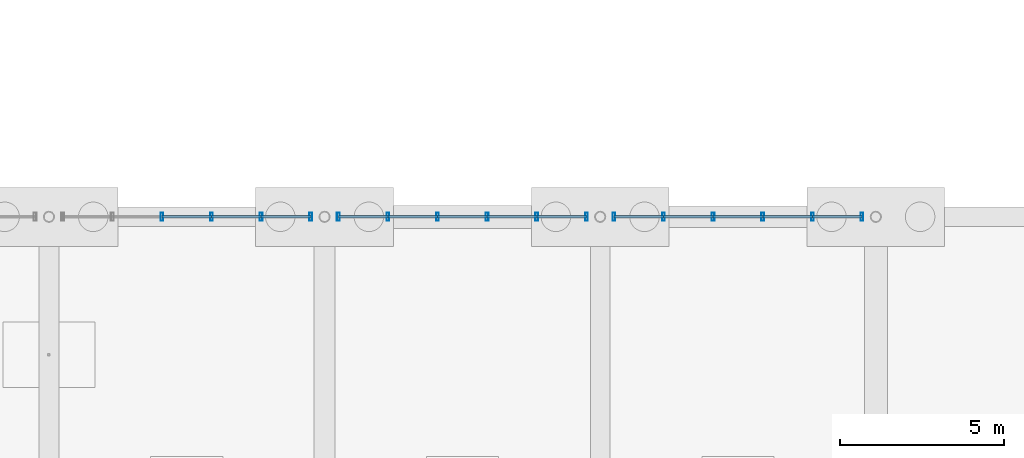
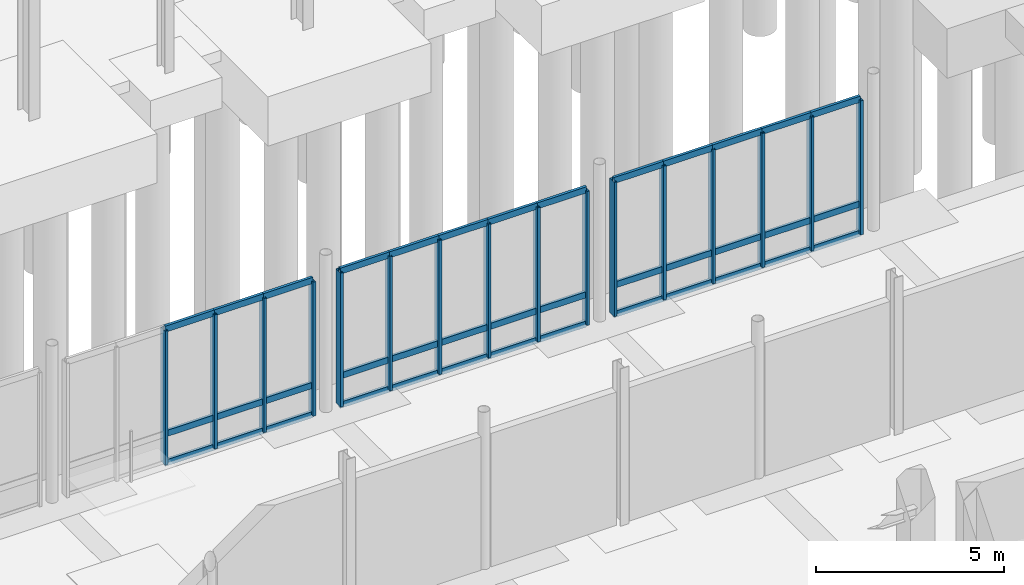
# One storey, part 46 of 119: 55 members, 3 elements without a shape of their own.
"""IFC4 building model written with IfcOpenShell, lengths in metres."""

from ifc_helpers import new_model, si_unit, derived_unit, direction, frame, origin, origin_2d, place, context, subcontext, project, spatial, hollow_rectangle, extrude, material, layer, layer_set, material_profile, profile_set, type_object, element, aggregate, save


model = new_model("IFC4")

# Units and contexts
model_context = context("Model", 3, precision=1e-05, world=origin(), true_north=direction((0.0, 1.0)))
body_context = subcontext(model_context, "Body", "Model", "MODEL_VIEW")
ifc_project = project(units=[si_unit("LENGTHUNIT", "METRE"), si_unit("AREAUNIT", "SQUARE_METRE"), si_unit("VOLUMEUNIT", "CUBIC_METRE"), si_unit("PLANEANGLEUNIT", "RADIAN"), si_unit("MASSUNIT", "GRAM", prefix="KILO"), derived_unit("THERMALTRANSMITTANCEUNIT", [(si_unit("MASSUNIT", "GRAM", prefix="KILO"), 1), (si_unit("TIMEUNIT", "SECOND"), -3), (si_unit("THERMODYNAMICTEMPERATUREUNIT", "KELVIN"), -1)])], contexts=[model_context])

# Site, building, storey
site_placement = place(None, origin())
site = spatial("IfcSite", under=ifc_project, at=site_placement, CompositionType="ELEMENT")
building_placement = place(site_placement, origin())
building = spatial("IfcBuilding", under=site, at=building_placement, Name="Makaiwela Harbour Ferry Terminal", CompositionType="ELEMENT")
storey_placement = place(building_placement, origin())
storey = spatial("IfcBuildingStorey", under=building, at=storey_placement, Name="L00", CompositionType="ELEMENT", Elevation=0.0)

# Curtain wall, members
ifc_material = material(Name="Marine anodised aluminium 6063-T6", Category="aluminium")
ifc_layer = layer(ifc_material, 0.199951171875)
ifc_layer_set = layer_set([ifc_layer], Name="Marine anodised aluminium 6063-T6")
curtain_wall_type = type_object("IfcCurtainWallType", Name="ENV-CW-10", PredefinedType="USERDEFINED", material=ifc_layer_set)
curtain_wall_1_placement = place(storey_placement, origin())
curtain_wall_1 = element("IfcCurtainWall", 1, at=curtain_wall_1_placement, inside=storey, type_object=curtain_wall_type, Name="Unitised Curtain Wall CWA-146", ObjectType="UNITIZED CURTAIN WALL", PredefinedType="USERDEFINED")
ifc_material_profile_1 = material_profile(ifc_material, hollow_rectangle(XDim=0.0849609375, YDim=0.25, WallThickness=0.0048828125, at=origin_2d()), Name="CWM-250X85")
ifc_profile_set_1 = profile_set([ifc_material_profile_1], Name="Marine anodised aluminium 6063-T6")
member_type_1 = type_object("IfcMemberType", Name="CW-MUL-250", PredefinedType="MULLION", material=ifc_profile_set_1)
member_1_placement = place(storey_placement, frame((112.97998046875, 33.60009765625, 0.0), z_axis=(0.0, 0.0, 1.0), x_axis=(1.0, 0.0, 0.0)))
member_1 = element("IfcMember", 2, at=member_1_placement, type_object=member_type_1, Name="Curtain Wall Mullion CWA-146-1", PredefinedType="MULLION", context=body_context, shape_type="SweptSolid", body=[
    extrude(hollow_rectangle(XDim=0.0849609375, YDim=0.25, WallThickness=0.0048828125, at=origin_2d()), origin(), (0.0, 0.0, 1.0), 4.35009765625),
])
member_2_placement = place(storey_placement, frame((111.468017578125, 33.60009765625, 0.0), z_axis=(0.0, 0.0, 1.0), x_axis=(1.0, 0.0, 0.0)))
member_2 = element("IfcMember", 3, at=member_2_placement, type_object=member_type_1, Name="Curtain Wall Mullion CWA-146-2", PredefinedType="MULLION", context=body_context, shape_type="SweptSolid", body=[
    extrude(hollow_rectangle(XDim=0.0849609375, YDim=0.25, WallThickness=0.0048828125, at=origin_2d()), origin(), (0.0, 0.0, 1.0), 4.35009765625),
])
member_3_placement = place(storey_placement, frame((109.9560546875, 33.60009765625, 0.0), z_axis=(0.0, 0.0, 1.0), x_axis=(1.0, 0.0, 0.0)))
member_3 = element("IfcMember", 4, at=member_3_placement, type_object=member_type_1, Name="Curtain Wall Mullion CWA-146-3", PredefinedType="MULLION", context=body_context, shape_type="SweptSolid", body=[
    extrude(hollow_rectangle(XDim=0.0849609375, YDim=0.25, WallThickness=0.0048828125, at=origin_2d()), origin(), (0.0, 0.0, 1.0), 4.35009765625),
])
member_4_placement = place(storey_placement, frame((108.444091796875, 33.60009765625, 0.0), z_axis=(0.0, 0.0, 1.0), x_axis=(1.0, 0.0, 0.0)))
member_4 = element("IfcMember", 5, at=member_4_placement, type_object=member_type_1, Name="Curtain Wall Mullion CWA-146-4", PredefinedType="MULLION", context=body_context, shape_type="SweptSolid", body=[
    extrude(hollow_rectangle(XDim=0.0849609375, YDim=0.25, WallThickness=0.0048828125, at=origin_2d()), origin(), (0.0, 0.0, 1.0), 4.35009765625),
])

curtain_wall_2_placement = place(storey_placement, origin())
curtain_wall_2 = element("IfcCurtainWall", 6, at=curtain_wall_2_placement, inside=storey, type_object=curtain_wall_type, Name="Unitised Curtain Wall CWA-148", ObjectType="UNITIZED CURTAIN WALL", PredefinedType="USERDEFINED")
member_5_placement = place(storey_placement, frame((121.3798828125, 33.60009765625, 0.0), z_axis=(0.0, 0.0, 1.0), x_axis=(1.0, 0.0, 0.0)))
member_5 = element("IfcMember", 7, at=member_5_placement, type_object=member_type_1, Name="Curtain Wall Mullion CWA-148-1", PredefinedType="MULLION", context=body_context, shape_type="SweptSolid", body=[
    extrude(hollow_rectangle(XDim=0.0849609375, YDim=0.25, WallThickness=0.0048828125, at=origin_2d()), origin(), (0.0, 0.0, 1.0), 4.35009765625),
])
member_6_placement = place(storey_placement, frame((119.867919921875, 33.60009765625, 0.0), z_axis=(0.0, 0.0, 1.0), x_axis=(1.0, 0.0, 0.0)))
member_6 = element("IfcMember", 8, at=member_6_placement, type_object=member_type_1, Name="Curtain Wall Mullion CWA-148-2", PredefinedType="MULLION", context=body_context, shape_type="SweptSolid", body=[
    extrude(hollow_rectangle(XDim=0.0849609375, YDim=0.25, WallThickness=0.0048828125, at=origin_2d()), origin(), (0.0, 0.0, 1.0), 4.35009765625),
])
member_7_placement = place(storey_placement, frame((118.35595703125, 33.60009765625, 0.0), z_axis=(0.0, 0.0, 1.0), x_axis=(1.0, 0.0, 0.0)))
member_7 = element("IfcMember", 9, at=member_7_placement, type_object=member_type_1, Name="Curtain Wall Mullion CWA-148-3", PredefinedType="MULLION", context=body_context, shape_type="SweptSolid", body=[
    extrude(hollow_rectangle(XDim=0.0849609375, YDim=0.25, WallThickness=0.0048828125, at=origin_2d()), origin(), (0.0, 0.0, 1.0), 4.35009765625),
])
member_8_placement = place(storey_placement, frame((116.843994140625, 33.60009765625, 0.0), z_axis=(0.0, 0.0, 1.0), x_axis=(1.0, 0.0, 0.0)))
member_8 = element("IfcMember", 10, at=member_8_placement, type_object=member_type_1, Name="Curtain Wall Mullion CWA-148-4", PredefinedType="MULLION", context=body_context, shape_type="SweptSolid", body=[
    extrude(hollow_rectangle(XDim=0.0849609375, YDim=0.25, WallThickness=0.0048828125, at=origin_2d()), origin(), (0.0, 0.0, 1.0), 4.35009765625),
])
member_9_placement = place(storey_placement, frame((115.33203125, 33.60009765625, 0.0), z_axis=(0.0, 0.0, 1.0), x_axis=(1.0, 0.0, 0.0)))
member_9 = element("IfcMember", 11, at=member_9_placement, type_object=member_type_1, Name="Curtain Wall Mullion CWA-148-5", PredefinedType="MULLION", context=body_context, shape_type="SweptSolid", body=[
    extrude(hollow_rectangle(XDim=0.0849609375, YDim=0.25, WallThickness=0.0048828125, at=origin_2d()), origin(), (0.0, 0.0, 1.0), 4.35009765625),
])
member_10_placement = place(storey_placement, frame((113.820068359375, 33.60009765625, 0.0), z_axis=(0.0, 0.0, 1.0), x_axis=(1.0, 0.0, 0.0)))
member_10 = element("IfcMember", 12, at=member_10_placement, type_object=member_type_1, Name="Curtain Wall Mullion CWA-148-6", PredefinedType="MULLION", context=body_context, shape_type="SweptSolid", body=[
    extrude(hollow_rectangle(XDim=0.0849609375, YDim=0.25, WallThickness=0.0048828125, at=origin_2d()), origin(), (0.0, 0.0, 1.0), 4.35009765625),
])

curtain_wall_3_placement = place(storey_placement, origin())
curtain_wall_3 = element("IfcCurtainWall", 13, at=curtain_wall_3_placement, inside=storey, type_object=curtain_wall_type, Name="Unitised Curtain Wall CWA-150", ObjectType="UNITIZED CURTAIN WALL", PredefinedType="USERDEFINED")
member_11_placement = place(storey_placement, frame((129.780029296875, 33.60009765625, 0.0), z_axis=(0.0, 0.0, 1.0), x_axis=(1.0, 0.0, 0.0)))
member_11 = element("IfcMember", 14, at=member_11_placement, type_object=member_type_1, Name="Curtain Wall Mullion CWA-150-1", PredefinedType="MULLION", context=body_context, shape_type="SweptSolid", body=[
    extrude(hollow_rectangle(XDim=0.0849609375, YDim=0.25, WallThickness=0.0048828125, at=origin_2d()), origin(), (0.0, 0.0, 1.0), 4.35009765625),
])
member_12_placement = place(storey_placement, frame((128.26806640625, 33.60009765625, 0.0), z_axis=(0.0, 0.0, 1.0), x_axis=(1.0, 0.0, 0.0)))
member_12 = element("IfcMember", 15, at=member_12_placement, type_object=member_type_1, Name="Curtain Wall Mullion CWA-150-2", PredefinedType="MULLION", context=body_context, shape_type="SweptSolid", body=[
    extrude(hollow_rectangle(XDim=0.0849609375, YDim=0.25, WallThickness=0.0048828125, at=origin_2d()), origin(), (0.0, 0.0, 1.0), 4.35009765625),
])
member_13_placement = place(storey_placement, frame((126.756103515625, 33.60009765625, 0.0), z_axis=(0.0, 0.0, 1.0), x_axis=(1.0, 0.0, 0.0)))
member_13 = element("IfcMember", 16, at=member_13_placement, type_object=member_type_1, Name="Curtain Wall Mullion CWA-150-3", PredefinedType="MULLION", context=body_context, shape_type="SweptSolid", body=[
    extrude(hollow_rectangle(XDim=0.0849609375, YDim=0.25, WallThickness=0.0048828125, at=origin_2d()), origin(), (0.0, 0.0, 1.0), 4.35009765625),
])
member_14_placement = place(storey_placement, frame((125.243896484375, 33.60009765625, 0.0), z_axis=(0.0, 0.0, 1.0), x_axis=(1.0, 0.0, 0.0)))
member_14 = element("IfcMember", 17, at=member_14_placement, type_object=member_type_1, Name="Curtain Wall Mullion CWA-150-4", PredefinedType="MULLION", context=body_context, shape_type="SweptSolid", body=[
    extrude(hollow_rectangle(XDim=0.0849609375, YDim=0.25, WallThickness=0.0048828125, at=origin_2d()), origin(), (0.0, 0.0, 1.0), 4.35009765625),
])
member_15_placement = place(storey_placement, frame((123.73193359375, 33.60009765625, 0.0), z_axis=(0.0, 0.0, 1.0), x_axis=(1.0, 0.0, 0.0)))
member_15 = element("IfcMember", 18, at=member_15_placement, type_object=member_type_1, Name="Curtain Wall Mullion CWA-150-5", PredefinedType="MULLION", context=body_context, shape_type="SweptSolid", body=[
    extrude(hollow_rectangle(XDim=0.0849609375, YDim=0.25, WallThickness=0.0048828125, at=origin_2d()), origin(), (0.0, 0.0, 1.0), 4.35009765625),
])
member_16_placement = place(storey_placement, frame((122.219970703125, 33.60009765625, 0.0), z_axis=(0.0, 0.0, 1.0), x_axis=(1.0, 0.0, 0.0)))
member_16 = element("IfcMember", 19, at=member_16_placement, type_object=member_type_1, Name="Curtain Wall Mullion CWA-150-6", PredefinedType="MULLION", context=body_context, shape_type="SweptSolid", body=[
    extrude(hollow_rectangle(XDim=0.0849609375, YDim=0.25, WallThickness=0.0048828125, at=origin_2d()), origin(), (0.0, 0.0, 1.0), 4.35009765625),
])

# Member
ifc_material_profile_2 = material_profile(ifc_material, hollow_rectangle(XDim=0.0849609375, YDim=0.199951171875, WallThickness=0.0048828125, at=origin_2d()), Name="CWT-200X85")
ifc_profile_set_2 = profile_set([ifc_material_profile_2], Name="Marine anodised aluminium 6063-T6")
member_type_2 = type_object("IfcMemberType", Name="CW-TRN-200", PredefinedType="USERDEFINED", material=ifc_profile_set_2)
member_17_placement = place(storey_placement, frame((112.97998046875, 33.60009765625, 0.0), z_axis=(-1.0, 0.0, 0.0), x_axis=(0.0, -1.0, 0.0)))
member_17 = element("IfcMember", 20, at=member_17_placement, type_object=member_type_2, Name="Curtain Wall Transom CWA-146-1-1", ObjectType="TRANSOM", PredefinedType="USERDEFINED", context=body_context, shape_type="SweptSolid", body=[
    extrude(hollow_rectangle(XDim=0.0849609375, YDim=0.199951171875, WallThickness=0.0048828125, at=origin_2d()), origin(), (0.0, 0.0, 1.0), 1.511962890625),
])

member_18_placement = place(storey_placement, frame((112.97998046875, 33.60009765625, 0.949951171875), z_axis=(-1.0, 0.0, 0.0), x_axis=(0.0, -1.0, 0.0)))
member_18 = element("IfcMember", 21, at=member_18_placement, type_object=member_type_2, Name="Curtain Wall Transom CWA-146-1-2", ObjectType="TRANSOM", PredefinedType="USERDEFINED", context=body_context, shape_type="SweptSolid", body=[
    extrude(hollow_rectangle(XDim=0.0849609375, YDim=0.199951171875, WallThickness=0.0048828125, at=origin_2d()), origin(), (0.0, 0.0, 1.0), 1.511962890625),
])

member_19_placement = place(storey_placement, frame((112.97998046875, 33.60009765625, 4.35009765625), z_axis=(-1.0, 0.0, 0.0), x_axis=(0.0, -1.0, 0.0)))
member_19 = element("IfcMember", 22, at=member_19_placement, type_object=member_type_2, Name="Curtain Wall Transom CWA-146-1-3", ObjectType="TRANSOM", PredefinedType="USERDEFINED", context=body_context, shape_type="SweptSolid", body=[
    extrude(hollow_rectangle(XDim=0.0849609375, YDim=0.199951171875, WallThickness=0.0048828125, at=origin_2d()), origin(), (0.0, 0.0, 1.0), 1.511962890625),
])

member_20_placement = place(storey_placement, frame((111.468017578125, 33.60009765625, 0.0), z_axis=(-1.0, 0.0, 0.0), x_axis=(0.0, -1.0, 0.0)))
member_20 = element("IfcMember", 23, at=member_20_placement, type_object=member_type_2, Name="Curtain Wall Transom CWA-146-2-1", ObjectType="TRANSOM", PredefinedType="USERDEFINED", context=body_context, shape_type="SweptSolid", body=[
    extrude(hollow_rectangle(XDim=0.0849609375, YDim=0.199951171875, WallThickness=0.0048828125, at=origin_2d()), origin(), (0.0, 0.0, 1.0), 1.511962890625),
])

member_21_placement = place(storey_placement, frame((111.468017578125, 33.60009765625, 0.949951171875), z_axis=(-1.0, 0.0, 0.0), x_axis=(0.0, -1.0, 0.0)))
member_21 = element("IfcMember", 24, at=member_21_placement, type_object=member_type_2, Name="Curtain Wall Transom CWA-146-2-2", ObjectType="TRANSOM", PredefinedType="USERDEFINED", context=body_context, shape_type="SweptSolid", body=[
    extrude(hollow_rectangle(XDim=0.0849609375, YDim=0.199951171875, WallThickness=0.0048828125, at=origin_2d()), origin(), (0.0, 0.0, 1.0), 1.511962890625),
])

member_22_placement = place(storey_placement, frame((111.468017578125, 33.60009765625, 4.35009765625), z_axis=(-1.0, 0.0, 0.0), x_axis=(0.0, -1.0, 0.0)))
member_22 = element("IfcMember", 25, at=member_22_placement, type_object=member_type_2, Name="Curtain Wall Transom CWA-146-2-3", ObjectType="TRANSOM", PredefinedType="USERDEFINED", context=body_context, shape_type="SweptSolid", body=[
    extrude(hollow_rectangle(XDim=0.0849609375, YDim=0.199951171875, WallThickness=0.0048828125, at=origin_2d()), origin(), (0.0, 0.0, 1.0), 1.511962890625),
])

member_23_placement = place(storey_placement, frame((109.9560546875, 33.60009765625, 0.0), z_axis=(-1.0, 0.0, 0.0), x_axis=(0.0, -1.0, 0.0)))
member_23 = element("IfcMember", 26, at=member_23_placement, type_object=member_type_2, Name="Curtain Wall Transom CWA-146-3-1", ObjectType="TRANSOM", PredefinedType="USERDEFINED", context=body_context, shape_type="SweptSolid", body=[
    extrude(hollow_rectangle(XDim=0.0849609375, YDim=0.199951171875, WallThickness=0.0048828125, at=origin_2d()), origin(), (0.0, 0.0, 1.0), 1.511962890625),
])

member_24_placement = place(storey_placement, frame((109.9560546875, 33.60009765625, 0.949951171875), z_axis=(-1.0, 0.0, 0.0), x_axis=(0.0, -1.0, 0.0)))
member_24 = element("IfcMember", 27, at=member_24_placement, type_object=member_type_2, Name="Curtain Wall Transom CWA-146-3-2", ObjectType="TRANSOM", PredefinedType="USERDEFINED", context=body_context, shape_type="SweptSolid", body=[
    extrude(hollow_rectangle(XDim=0.0849609375, YDim=0.199951171875, WallThickness=0.0048828125, at=origin_2d()), origin(), (0.0, 0.0, 1.0), 1.511962890625),
])

member_25_placement = place(storey_placement, frame((109.9560546875, 33.60009765625, 4.35009765625), z_axis=(-1.0, 0.0, 0.0), x_axis=(0.0, -1.0, 0.0)))
member_25 = element("IfcMember", 28, at=member_25_placement, type_object=member_type_2, Name="Curtain Wall Transom CWA-146-3-3", ObjectType="TRANSOM", PredefinedType="USERDEFINED", context=body_context, shape_type="SweptSolid", body=[
    extrude(hollow_rectangle(XDim=0.0849609375, YDim=0.199951171875, WallThickness=0.0048828125, at=origin_2d()), origin(), (0.0, 0.0, 1.0), 1.511962890625),
])

aggregate(curtain_wall_1, [member_1, member_2, member_3, member_4, member_17, member_18, member_19, member_20, member_21, member_22, member_23, member_24, member_25])

member_26_placement = place(storey_placement, frame((121.3798828125, 33.60009765625, 0.0), z_axis=(-1.0, 0.0, 0.0), x_axis=(0.0, -1.0, 0.0)))
member_26 = element("IfcMember", 29, at=member_26_placement, type_object=member_type_2, Name="Curtain Wall Transom CWA-148-1-1", ObjectType="TRANSOM", PredefinedType="USERDEFINED", context=body_context, shape_type="SweptSolid", body=[
    extrude(hollow_rectangle(XDim=0.0849609375, YDim=0.199951171875, WallThickness=0.0048828125, at=origin_2d()), origin(), (0.0, 0.0, 1.0), 1.511962890625),
])

member_27_placement = place(storey_placement, frame((121.3798828125, 33.60009765625, 0.949951171875), z_axis=(-1.0, 0.0, 0.0), x_axis=(0.0, -1.0, 0.0)))
member_27 = element("IfcMember", 30, at=member_27_placement, type_object=member_type_2, Name="Curtain Wall Transom CWA-148-1-2", ObjectType="TRANSOM", PredefinedType="USERDEFINED", context=body_context, shape_type="SweptSolid", body=[
    extrude(hollow_rectangle(XDim=0.0849609375, YDim=0.199951171875, WallThickness=0.0048828125, at=origin_2d()), origin(), (0.0, 0.0, 1.0), 1.511962890625),
])

member_28_placement = place(storey_placement, frame((121.3798828125, 33.60009765625, 4.35009765625), z_axis=(-1.0, 0.0, 0.0), x_axis=(0.0, -1.0, 0.0)))
member_28 = element("IfcMember", 31, at=member_28_placement, type_object=member_type_2, Name="Curtain Wall Transom CWA-148-1-3", ObjectType="TRANSOM", PredefinedType="USERDEFINED", context=body_context, shape_type="SweptSolid", body=[
    extrude(hollow_rectangle(XDim=0.0849609375, YDim=0.199951171875, WallThickness=0.0048828125, at=origin_2d()), origin(), (0.0, 0.0, 1.0), 1.511962890625),
])

member_29_placement = place(storey_placement, frame((119.867919921875, 33.60009765625, 0.0), z_axis=(-1.0, 0.0, 0.0), x_axis=(0.0, -1.0, 0.0)))
member_29 = element("IfcMember", 32, at=member_29_placement, type_object=member_type_2, Name="Curtain Wall Transom CWA-148-2-1", ObjectType="TRANSOM", PredefinedType="USERDEFINED", context=body_context, shape_type="SweptSolid", body=[
    extrude(hollow_rectangle(XDim=0.0849609375, YDim=0.199951171875, WallThickness=0.0048828125, at=origin_2d()), origin(), (0.0, 0.0, 1.0), 1.511962890625),
])

member_30_placement = place(storey_placement, frame((119.867919921875, 33.60009765625, 0.949951171875), z_axis=(-1.0, 0.0, 0.0), x_axis=(0.0, -1.0, 0.0)))
member_30 = element("IfcMember", 33, at=member_30_placement, type_object=member_type_2, Name="Curtain Wall Transom CWA-148-2-2", ObjectType="TRANSOM", PredefinedType="USERDEFINED", context=body_context, shape_type="SweptSolid", body=[
    extrude(hollow_rectangle(XDim=0.0849609375, YDim=0.199951171875, WallThickness=0.0048828125, at=origin_2d()), origin(), (0.0, 0.0, 1.0), 1.511962890625),
])

member_31_placement = place(storey_placement, frame((119.867919921875, 33.60009765625, 4.35009765625), z_axis=(-1.0, 0.0, 0.0), x_axis=(0.0, -1.0, 0.0)))
member_31 = element("IfcMember", 34, at=member_31_placement, type_object=member_type_2, Name="Curtain Wall Transom CWA-148-2-3", ObjectType="TRANSOM", PredefinedType="USERDEFINED", context=body_context, shape_type="SweptSolid", body=[
    extrude(hollow_rectangle(XDim=0.0849609375, YDim=0.199951171875, WallThickness=0.0048828125, at=origin_2d()), origin(), (0.0, 0.0, 1.0), 1.511962890625),
])

member_32_placement = place(storey_placement, frame((118.35595703125, 33.60009765625, 0.0), z_axis=(-1.0, 0.0, 0.0), x_axis=(0.0, -1.0, 0.0)))
member_32 = element("IfcMember", 35, at=member_32_placement, type_object=member_type_2, Name="Curtain Wall Transom CWA-148-3-1", ObjectType="TRANSOM", PredefinedType="USERDEFINED", context=body_context, shape_type="SweptSolid", body=[
    extrude(hollow_rectangle(XDim=0.0849609375, YDim=0.199951171875, WallThickness=0.0048828125, at=origin_2d()), origin(), (0.0, 0.0, 1.0), 1.511962890625),
])

member_33_placement = place(storey_placement, frame((118.35595703125, 33.60009765625, 0.949951171875), z_axis=(-1.0, 0.0, 0.0), x_axis=(0.0, -1.0, 0.0)))
member_33 = element("IfcMember", 36, at=member_33_placement, type_object=member_type_2, Name="Curtain Wall Transom CWA-148-3-2", ObjectType="TRANSOM", PredefinedType="USERDEFINED", context=body_context, shape_type="SweptSolid", body=[
    extrude(hollow_rectangle(XDim=0.0849609375, YDim=0.199951171875, WallThickness=0.0048828125, at=origin_2d()), origin(), (0.0, 0.0, 1.0), 1.511962890625),
])

member_34_placement = place(storey_placement, frame((118.35595703125, 33.60009765625, 4.35009765625), z_axis=(-1.0, 0.0, 0.0), x_axis=(0.0, -1.0, 0.0)))
member_34 = element("IfcMember", 37, at=member_34_placement, type_object=member_type_2, Name="Curtain Wall Transom CWA-148-3-3", ObjectType="TRANSOM", PredefinedType="USERDEFINED", context=body_context, shape_type="SweptSolid", body=[
    extrude(hollow_rectangle(XDim=0.0849609375, YDim=0.199951171875, WallThickness=0.0048828125, at=origin_2d()), origin(), (0.0, 0.0, 1.0), 1.511962890625),
])

member_35_placement = place(storey_placement, frame((116.843994140625, 33.60009765625, 0.0), z_axis=(-1.0, 0.0, 0.0), x_axis=(0.0, -1.0, 0.0)))
member_35 = element("IfcMember", 38, at=member_35_placement, type_object=member_type_2, Name="Curtain Wall Transom CWA-148-4-1", ObjectType="TRANSOM", PredefinedType="USERDEFINED", context=body_context, shape_type="SweptSolid", body=[
    extrude(hollow_rectangle(XDim=0.0849609375, YDim=0.199951171875, WallThickness=0.0048828125, at=origin_2d()), origin(), (0.0, 0.0, 1.0), 1.511962890625),
])

member_36_placement = place(storey_placement, frame((116.843994140625, 33.60009765625, 0.949951171875), z_axis=(-1.0, 0.0, 0.0), x_axis=(0.0, -1.0, 0.0)))
member_36 = element("IfcMember", 39, at=member_36_placement, type_object=member_type_2, Name="Curtain Wall Transom CWA-148-4-2", ObjectType="TRANSOM", PredefinedType="USERDEFINED", context=body_context, shape_type="SweptSolid", body=[
    extrude(hollow_rectangle(XDim=0.0849609375, YDim=0.199951171875, WallThickness=0.0048828125, at=origin_2d()), origin(), (0.0, 0.0, 1.0), 1.511962890625),
])

member_37_placement = place(storey_placement, frame((116.843994140625, 33.60009765625, 4.35009765625), z_axis=(-1.0, 0.0, 0.0), x_axis=(0.0, -1.0, 0.0)))
member_37 = element("IfcMember", 40, at=member_37_placement, type_object=member_type_2, Name="Curtain Wall Transom CWA-148-4-3", ObjectType="TRANSOM", PredefinedType="USERDEFINED", context=body_context, shape_type="SweptSolid", body=[
    extrude(hollow_rectangle(XDim=0.0849609375, YDim=0.199951171875, WallThickness=0.0048828125, at=origin_2d()), origin(), (0.0, 0.0, 1.0), 1.511962890625),
])

member_38_placement = place(storey_placement, frame((115.33203125, 33.60009765625, 0.0), z_axis=(-1.0, 0.0, 0.0), x_axis=(0.0, -1.0, 0.0)))
member_38 = element("IfcMember", 41, at=member_38_placement, type_object=member_type_2, Name="Curtain Wall Transom CWA-148-5-1", ObjectType="TRANSOM", PredefinedType="USERDEFINED", context=body_context, shape_type="SweptSolid", body=[
    extrude(hollow_rectangle(XDim=0.0849609375, YDim=0.199951171875, WallThickness=0.0048828125, at=origin_2d()), origin(), (0.0, 0.0, 1.0), 1.511962890625),
])

member_39_placement = place(storey_placement, frame((115.33203125, 33.60009765625, 0.949951171875), z_axis=(-1.0, 0.0, 0.0), x_axis=(0.0, -1.0, 0.0)))
member_39 = element("IfcMember", 42, at=member_39_placement, type_object=member_type_2, Name="Curtain Wall Transom CWA-148-5-2", ObjectType="TRANSOM", PredefinedType="USERDEFINED", context=body_context, shape_type="SweptSolid", body=[
    extrude(hollow_rectangle(XDim=0.0849609375, YDim=0.199951171875, WallThickness=0.0048828125, at=origin_2d()), origin(), (0.0, 0.0, 1.0), 1.511962890625),
])

member_40_placement = place(storey_placement, frame((115.33203125, 33.60009765625, 4.35009765625), z_axis=(-1.0, 0.0, 0.0), x_axis=(0.0, -1.0, 0.0)))
member_40 = element("IfcMember", 43, at=member_40_placement, type_object=member_type_2, Name="Curtain Wall Transom CWA-148-5-3", ObjectType="TRANSOM", PredefinedType="USERDEFINED", context=body_context, shape_type="SweptSolid", body=[
    extrude(hollow_rectangle(XDim=0.0849609375, YDim=0.199951171875, WallThickness=0.0048828125, at=origin_2d()), origin(), (0.0, 0.0, 1.0), 1.511962890625),
])

aggregate(curtain_wall_2, [member_5, member_6, member_7, member_8, member_9, member_10, member_26, member_27, member_28, member_29, member_30, member_31, member_32, member_33, member_34, member_35, member_36, member_37, member_38, member_39, member_40])

member_41_placement = place(storey_placement, frame((129.780029296875, 33.60009765625, 0.0), z_axis=(-1.0, 0.0, 0.0), x_axis=(0.0, -1.0, 0.0)))
member_41 = element("IfcMember", 44, at=member_41_placement, type_object=member_type_2, Name="Curtain Wall Transom CWA-150-1-1", ObjectType="TRANSOM", PredefinedType="USERDEFINED", context=body_context, shape_type="SweptSolid", body=[
    extrude(hollow_rectangle(XDim=0.0849609375, YDim=0.199951171875, WallThickness=0.0048828125, at=origin_2d()), origin(), (0.0, 0.0, 1.0), 1.511962890625),
])

member_42_placement = place(storey_placement, frame((129.780029296875, 33.60009765625, 0.949951171875), z_axis=(-1.0, 0.0, 0.0), x_axis=(0.0, -1.0, 0.0)))
member_42 = element("IfcMember", 45, at=member_42_placement, type_object=member_type_2, Name="Curtain Wall Transom CWA-150-1-2", ObjectType="TRANSOM", PredefinedType="USERDEFINED", context=body_context, shape_type="SweptSolid", body=[
    extrude(hollow_rectangle(XDim=0.0849609375, YDim=0.199951171875, WallThickness=0.0048828125, at=origin_2d()), origin(), (0.0, 0.0, 1.0), 1.511962890625),
])

member_43_placement = place(storey_placement, frame((129.780029296875, 33.60009765625, 4.35009765625), z_axis=(-1.0, 0.0, 0.0), x_axis=(0.0, -1.0, 0.0)))
member_43 = element("IfcMember", 46, at=member_43_placement, type_object=member_type_2, Name="Curtain Wall Transom CWA-150-1-3", ObjectType="TRANSOM", PredefinedType="USERDEFINED", context=body_context, shape_type="SweptSolid", body=[
    extrude(hollow_rectangle(XDim=0.0849609375, YDim=0.199951171875, WallThickness=0.0048828125, at=origin_2d()), origin(), (0.0, 0.0, 1.0), 1.511962890625),
])

member_44_placement = place(storey_placement, frame((128.26806640625, 33.60009765625, 0.0), z_axis=(-1.0, 0.0, 0.0), x_axis=(0.0, -1.0, 0.0)))
member_44 = element("IfcMember", 47, at=member_44_placement, type_object=member_type_2, Name="Curtain Wall Transom CWA-150-2-1", ObjectType="TRANSOM", PredefinedType="USERDEFINED", context=body_context, shape_type="SweptSolid", body=[
    extrude(hollow_rectangle(XDim=0.0849609375, YDim=0.199951171875, WallThickness=0.0048828125, at=origin_2d()), origin(), (0.0, 0.0, 1.0), 1.511962890625),
])

member_45_placement = place(storey_placement, frame((128.26806640625, 33.60009765625, 0.949951171875), z_axis=(-1.0, 0.0, 0.0), x_axis=(0.0, -1.0, 0.0)))
member_45 = element("IfcMember", 48, at=member_45_placement, type_object=member_type_2, Name="Curtain Wall Transom CWA-150-2-2", ObjectType="TRANSOM", PredefinedType="USERDEFINED", context=body_context, shape_type="SweptSolid", body=[
    extrude(hollow_rectangle(XDim=0.0849609375, YDim=0.199951171875, WallThickness=0.0048828125, at=origin_2d()), origin(), (0.0, 0.0, 1.0), 1.511962890625),
])

member_46_placement = place(storey_placement, frame((128.26806640625, 33.60009765625, 4.35009765625), z_axis=(-1.0, 0.0, 0.0), x_axis=(0.0, -1.0, 0.0)))
member_46 = element("IfcMember", 49, at=member_46_placement, type_object=member_type_2, Name="Curtain Wall Transom CWA-150-2-3", ObjectType="TRANSOM", PredefinedType="USERDEFINED", context=body_context, shape_type="SweptSolid", body=[
    extrude(hollow_rectangle(XDim=0.0849609375, YDim=0.199951171875, WallThickness=0.0048828125, at=origin_2d()), origin(), (0.0, 0.0, 1.0), 1.511962890625),
])

member_47_placement = place(storey_placement, frame((126.756103515625, 33.60009765625, 0.0), z_axis=(-1.0, 0.0, 0.0), x_axis=(0.0, -1.0, 0.0)))
member_47 = element("IfcMember", 50, at=member_47_placement, type_object=member_type_2, Name="Curtain Wall Transom CWA-150-3-1", ObjectType="TRANSOM", PredefinedType="USERDEFINED", context=body_context, shape_type="SweptSolid", body=[
    extrude(hollow_rectangle(XDim=0.0849609375, YDim=0.199951171875, WallThickness=0.0048828125, at=origin_2d()), origin(), (0.0, 0.0, 1.0), 1.51220703125),
])

member_48_placement = place(storey_placement, frame((126.756103515625, 33.60009765625, 0.949951171875), z_axis=(-1.0, 0.0, 0.0), x_axis=(0.0, -1.0, 0.0)))
member_48 = element("IfcMember", 51, at=member_48_placement, type_object=member_type_2, Name="Curtain Wall Transom CWA-150-3-2", ObjectType="TRANSOM", PredefinedType="USERDEFINED", context=body_context, shape_type="SweptSolid", body=[
    extrude(hollow_rectangle(XDim=0.0849609375, YDim=0.199951171875, WallThickness=0.0048828125, at=origin_2d()), origin(), (0.0, 0.0, 1.0), 1.51220703125),
])

member_49_placement = place(storey_placement, frame((126.756103515625, 33.60009765625, 4.35009765625), z_axis=(-1.0, 0.0, 0.0), x_axis=(0.0, -1.0, 0.0)))
member_49 = element("IfcMember", 52, at=member_49_placement, type_object=member_type_2, Name="Curtain Wall Transom CWA-150-3-3", ObjectType="TRANSOM", PredefinedType="USERDEFINED", context=body_context, shape_type="SweptSolid", body=[
    extrude(hollow_rectangle(XDim=0.0849609375, YDim=0.199951171875, WallThickness=0.0048828125, at=origin_2d()), origin(), (0.0, 0.0, 1.0), 1.51220703125),
])

member_50_placement = place(storey_placement, frame((125.243896484375, 33.60009765625, 0.0), z_axis=(-1.0, 0.0, 0.0), x_axis=(0.0, -1.0, 0.0)))
member_50 = element("IfcMember", 53, at=member_50_placement, type_object=member_type_2, Name="Curtain Wall Transom CWA-150-4-1", ObjectType="TRANSOM", PredefinedType="USERDEFINED", context=body_context, shape_type="SweptSolid", body=[
    extrude(hollow_rectangle(XDim=0.0849609375, YDim=0.199951171875, WallThickness=0.0048828125, at=origin_2d()), origin(), (0.0, 0.0, 1.0), 1.511962890625),
])

member_51_placement = place(storey_placement, frame((125.243896484375, 33.60009765625, 0.949951171875), z_axis=(-1.0, 0.0, 0.0), x_axis=(0.0, -1.0, 0.0)))
member_51 = element("IfcMember", 54, at=member_51_placement, type_object=member_type_2, Name="Curtain Wall Transom CWA-150-4-2", ObjectType="TRANSOM", PredefinedType="USERDEFINED", context=body_context, shape_type="SweptSolid", body=[
    extrude(hollow_rectangle(XDim=0.0849609375, YDim=0.199951171875, WallThickness=0.0048828125, at=origin_2d()), origin(), (0.0, 0.0, 1.0), 1.511962890625),
])

member_52_placement = place(storey_placement, frame((125.243896484375, 33.60009765625, 4.35009765625), z_axis=(-1.0, 0.0, 0.0), x_axis=(0.0, -1.0, 0.0)))
member_52 = element("IfcMember", 55, at=member_52_placement, type_object=member_type_2, Name="Curtain Wall Transom CWA-150-4-3", ObjectType="TRANSOM", PredefinedType="USERDEFINED", context=body_context, shape_type="SweptSolid", body=[
    extrude(hollow_rectangle(XDim=0.0849609375, YDim=0.199951171875, WallThickness=0.0048828125, at=origin_2d()), origin(), (0.0, 0.0, 1.0), 1.511962890625),
])

member_53_placement = place(storey_placement, frame((123.73193359375, 33.60009765625, 0.0), z_axis=(-1.0, 0.0, 0.0), x_axis=(0.0, -1.0, 0.0)))
member_53 = element("IfcMember", 56, at=member_53_placement, type_object=member_type_2, Name="Curtain Wall Transom CWA-150-5-1", ObjectType="TRANSOM", PredefinedType="USERDEFINED", context=body_context, shape_type="SweptSolid", body=[
    extrude(hollow_rectangle(XDim=0.0849609375, YDim=0.199951171875, WallThickness=0.0048828125, at=origin_2d()), origin(), (0.0, 0.0, 1.0), 1.511962890625),
])

member_54_placement = place(storey_placement, frame((123.73193359375, 33.60009765625, 0.949951171875), z_axis=(-1.0, 0.0, 0.0), x_axis=(0.0, -1.0, 0.0)))
member_54 = element("IfcMember", 57, at=member_54_placement, type_object=member_type_2, Name="Curtain Wall Transom CWA-150-5-2", ObjectType="TRANSOM", PredefinedType="USERDEFINED", context=body_context, shape_type="SweptSolid", body=[
    extrude(hollow_rectangle(XDim=0.0849609375, YDim=0.199951171875, WallThickness=0.0048828125, at=origin_2d()), origin(), (0.0, 0.0, 1.0), 1.511962890625),
])

member_55_placement = place(storey_placement, frame((123.73193359375, 33.60009765625, 4.35009765625), z_axis=(-1.0, 0.0, 0.0), x_axis=(0.0, -1.0, 0.0)))
member_55 = element("IfcMember", 58, at=member_55_placement, type_object=member_type_2, Name="Curtain Wall Transom CWA-150-5-3", ObjectType="TRANSOM", PredefinedType="USERDEFINED", context=body_context, shape_type="SweptSolid", body=[
    extrude(hollow_rectangle(XDim=0.0849609375, YDim=0.199951171875, WallThickness=0.0048828125, at=origin_2d()), origin(), (0.0, 0.0, 1.0), 1.511962890625),
])

aggregate(curtain_wall_3, [member_11, member_12, member_13, member_14, member_15, member_16, member_41, member_42, member_43, member_44, member_45, member_46, member_47, member_48, member_49, member_50, member_51, member_52, member_53, member_54, member_55])

save(model, "model.ifc")
